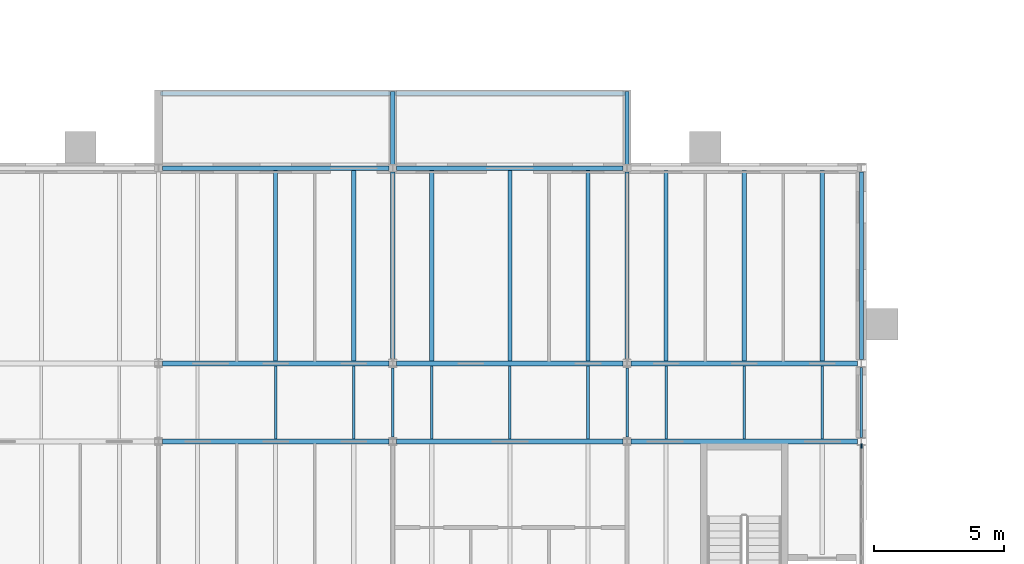
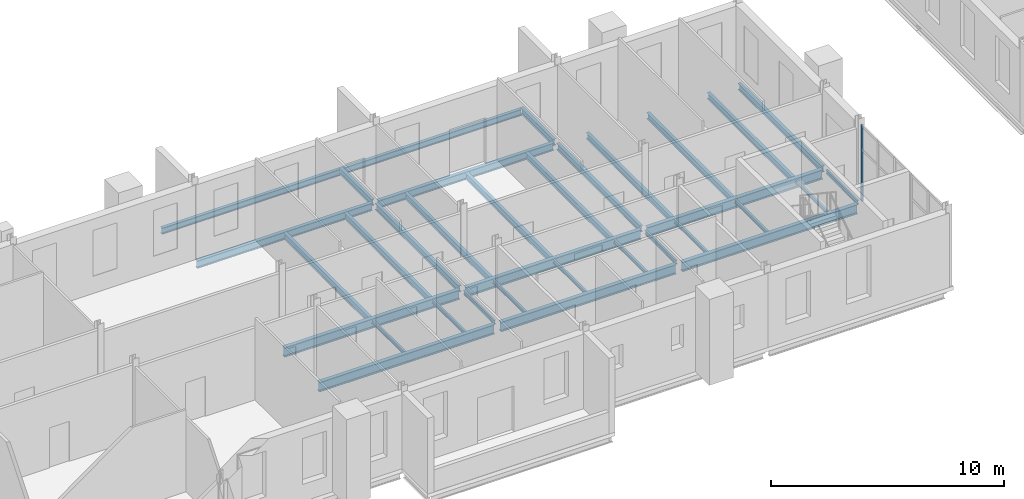
# One storey, part 39 of 134: 34 beams, 1 member, 1 element without a shape of its own.
"""IFC4 building model written with IfcOpenShell, lengths in metres."""

from ifc_helpers import new_model, si_unit, direction, frame, origin, origin_2d, place, context, subcontext, project, spatial, rectangle, i_section, extrude, material, layer, layer_set, material_profile, profile_set, type_object, element, aggregate, save


model = new_model("IFC4")

# Units and contexts
model_context = context("Model", 3, precision=1e-05, world=origin(), true_north=direction((0.0, 1.0)))
body_context = subcontext(model_context, "Body", "Model", "MODEL_VIEW")
ifc_project = project(units=[si_unit("LENGTHUNIT", "METRE"), si_unit("AREAUNIT", "SQUARE_METRE"), si_unit("VOLUMEUNIT", "CUBIC_METRE"), si_unit("PLANEANGLEUNIT", "RADIAN"), si_unit("MASSUNIT", "GRAM", prefix="KILO")], contexts=[model_context])

# Site, building, storey
site_placement = place(None, origin())
site = spatial("IfcSite", under=ifc_project, at=site_placement, CompositionType="ELEMENT")
building_placement = place(site_placement, origin())
building = spatial("IfcBuilding", under=site, at=building_placement, Name="Golden Quay Civic Hall", CompositionType="ELEMENT")
storey_placement = place(building_placement, frame((0.0, 0.0, 5.39990234375)))
storey = spatial("IfcBuildingStorey", under=building, at=storey_placement, Name="L01", CompositionType="ELEMENT", Elevation=5.39990234375)

# Curtain wall, member
ifc_material_1 = material(Name="Glass, laminated double glazed", Category="glass")
ifc_layer = layer(ifc_material_1, 0.199951171875)
ifc_layer_set = layer_set([ifc_layer], Name="Glazed core strip curtain wall")
curtain_wall_type = type_object("IfcCurtainWallType", Name="Glazed core strip curtain wall", PredefinedType="NOTDEFINED", material=ifc_layer_set)
curtain_wall_placement = place(storey_placement, origin())
curtain_wall = element("IfcCurtainWall", 1, at=curtain_wall_placement, inside=storey, type_object=curtain_wall_type, Name="Glazed core strip curtain wall L01 2", PredefinedType="NOTDEFINED")
ifc_material_2 = material(Name="Aluminium, anodised", Category="aluminium")
ifc_material_profile_1 = material_profile(ifc_material_2, rectangle(XDim=0.06005859375, YDim=0.159912109375, at=origin_2d()), Name="Aluminium 60 x 160")
ifc_profile_set_1 = profile_set([ifc_material_profile_1], Name="Aluminium, anodised")
member_type = type_object("IfcMemberType", Name="Aluminium mullion 60 x 160", PredefinedType="MULLION", material=ifc_profile_set_1)
member_placement = place(storey_placement, frame((54.0, 70.324951171875, 0.0), z_axis=(0.0, 0.0, 1.0), x_axis=(1.0, 0.0, 0.0)))
member = element("IfcMember", 2, at=member_placement, type_object=member_type, Name="CW2 mullion 1", PredefinedType="MULLION", context=body_context, shape_type="SweptSolid", body=[
    extrude(rectangle(XDim=0.06005859375, YDim=0.159912109375, at=origin_2d()), origin(), (0.0, 0.0, 1.0), 3.97021484375),
])
aggregate(curtain_wall, [member])

# Beams
ifc_material_3 = material(Name="Steel S355", Category="steel")
ifc_material_profile_2 = material_profile(ifc_material_3, i_section(OverallWidth=0.159912109375, OverallDepth=0.330078125, WebThickness=0.007568359375, FlangeThickness=0.011474609375, FilletRadius=0.01806640625, at=origin_2d()), Name="IPE 330")
ifc_profile_set_2 = profile_set([ifc_material_profile_2], Name="Steel S355")
beam_type_1 = type_object("IfcBeamType", Name="Loggia head beam IPE 330", PredefinedType="BEAM", material=ifc_profile_set_2)
for number, where, z_axis, x_axis, name in (
    (3, (27.080078125, 83.8701171875, -0.364990234375), (1.0, 0.0, 0.0), (0.0, 1.0, 0.0), "Loggia head beam IPE 330 L01 6"),
    (4, (36.080078125, 83.8701171875, -0.364990234375), (1.0, 0.0, 0.0), (0.0, 1.0, 0.0), "Loggia head beam IPE 330 L01 7"),
):
    element("IfcBeam", number, at=place(storey_placement, frame(where, z_axis=z_axis, x_axis=x_axis)), inside=storey, type_object=beam_type_1, Name=name, PredefinedType="BEAM", context=body_context, shape_type="SweptSolid", body=[
        extrude(i_section(OverallWidth=0.159912109375, OverallDepth=0.330078125, WebThickness=0.007568359375, FlangeThickness=0.011474609375, FilletRadius=0.01806640625, at=origin_2d()), origin(), (0.0, 0.0, 1.0), 8.83984375),
    ])
ifc_material_4 = material(Name="Steel S355", Category="steel")
ifc_material_profile_3 = material_profile(ifc_material_4, i_section(OverallWidth=0.159912109375, OverallDepth=0.330078125, WebThickness=0.007568359375, FlangeThickness=0.011474609375, FilletRadius=0.01806640625, at=origin_2d()), Name="IPE 330")
ifc_profile_set_3 = profile_set([ifc_material_profile_3], Name="Steel S355")
beam_type_2 = type_object("IfcBeamType", Name="Loggia stub IPE 330", PredefinedType="BEAM", material=ifc_profile_set_3)
for number, where, z_axis, x_axis, name in (
    (5, (36.0, 81.14501953125, -0.364990234375), (0.0, 1.0, 0.0), (-1.0, 0.0, 0.0), "Loggia stub IPE 330 L01 9"),
    (6, (45.0, 81.14501953125, -0.364990234375), (0.0, 1.0, 0.0), (-1.0, 0.0, 0.0), "Loggia stub IPE 330 L01 10"),
):
    element("IfcBeam", number, at=place(storey_placement, frame(where, z_axis=z_axis, x_axis=x_axis)), inside=storey, type_object=beam_type_2, Name=name, PredefinedType="BEAM", context=body_context, shape_type="SweptSolid", body=[
        extrude(i_section(OverallWidth=0.159912109375, OverallDepth=0.330078125, WebThickness=0.007568359375, FlangeThickness=0.011474609375, FilletRadius=0.01806640625, at=origin_2d()), origin(), (0.0, 0.0, 1.0), 2.804931640625),
    ])
ifc_material_5 = material(Name="Steel S355", Category="steel")
ifc_material_profile_4 = material_profile(ifc_material_5, i_section(OverallWidth=0.10009765625, OverallDepth=0.199951171875, WebThickness=0.005615234375, FlangeThickness=0.008544921875, FilletRadius=0.011962890625, at=origin_2d()), Name="IPE 200")
ifc_profile_set_4 = profile_set([ifc_material_profile_4], Name="Steel S355")
beam_type_3 = type_object("IfcBeamType", Name="Steel beam IPE 200", PredefinedType="BEAM", material=ifc_profile_set_4)
for number, where, z_axis, x_axis, name in (
    (7, (36.0, 70.679931640625, -0.2998046875), (0.0, 1.0, 0.0), (-1.0, 0.0, 0.0), "Beam S36-70.5"),
    (8, (45.0, 70.679931640625, -0.2998046875), (0.0, 1.0, 0.0), (-1.0, 0.0, 0.0), "Beam S45-70.5"),
):
    element("IfcBeam", number, at=place(storey_placement, frame(where, z_axis=z_axis, x_axis=x_axis)), inside=storey, type_object=beam_type_3, Name=name, PredefinedType="BEAM", context=body_context, shape_type="SweptSolid", body=[
        extrude(i_section(OverallWidth=0.10009765625, OverallDepth=0.199951171875, WebThickness=0.005615234375, FlangeThickness=0.008544921875, FilletRadius=0.011962890625, at=origin_2d()), origin(), (0.0, 0.0, 1.0), 2.64013671875),
    ])
beam_1_placement = place(storey_placement, frame((54.0, 70.64990234375, -0.2998046875), z_axis=(0.0, 1.0, 0.0), x_axis=(-1.0, 0.0, 0.0)))
element("IfcBeam", 9, at=beam_1_placement, inside=storey, type_object=beam_type_3, Name="Beam S54-70.5", PredefinedType="BEAM", context=body_context, shape_type="SweptSolid", body=[
    extrude(i_section(OverallWidth=0.10009765625, OverallDepth=0.199951171875, WebThickness=0.005615234375, FlangeThickness=0.008544921875, FilletRadius=0.011962890625, at=origin_2d()), origin(), (0.0, 0.0, 1.0), 2.7001953125),
])
ifc_material_6 = material(Name="Steel S355", Category="steel")
ifc_material_profile_5 = material_profile(ifc_material_6, i_section(OverallWidth=0.159912109375, OverallDepth=0.330078125, WebThickness=0.007568359375, FlangeThickness=0.011474609375, FilletRadius=0.01806640625, at=origin_2d()), Name="IPE 330")
ifc_profile_set_5 = profile_set([ifc_material_profile_5], Name="Steel S355")
beam_type_4 = type_object("IfcBeamType", Name="Steel beam IPE 330", PredefinedType="BEAM", material=ifc_profile_set_5)
for number, where, z_axis, x_axis, name in (
    (10, (36.0, 73.679931640625, -0.364990234375), (0.0, 1.0, 0.0), (-1.0, 0.0, 0.0), "Beam S36-73.5"),
    (11, (45.0, 73.679931640625, -0.364990234375), (0.0, 1.0, 0.0), (-1.0, 0.0, 0.0), "Beam S45-73.5"),
):
    element("IfcBeam", number, at=place(storey_placement, frame(where, z_axis=z_axis, x_axis=x_axis)), inside=storey, type_object=beam_type_4, Name=name, PredefinedType="BEAM", context=body_context, shape_type="SweptSolid", body=[
        extrude(i_section(OverallWidth=0.159912109375, OverallDepth=0.330078125, WebThickness=0.007568359375, FlangeThickness=0.011474609375, FilletRadius=0.01806640625, at=origin_2d()), origin(), (0.0, 0.0, 1.0), 7.170166015625),
    ])
beam_2_placement = place(storey_placement, frame((54.0, 73.64990234375, -0.364990234375), z_axis=(0.0, 1.0, 0.0), x_axis=(-1.0, 0.0, 0.0)))
element("IfcBeam", 12, at=beam_2_placement, inside=storey, type_object=beam_type_4, Name="Beam S54-73.5", PredefinedType="BEAM", context=body_context, shape_type="SweptSolid", body=[
    extrude(i_section(OverallWidth=0.159912109375, OverallDepth=0.330078125, WebThickness=0.007568359375, FlangeThickness=0.011474609375, FilletRadius=0.01806640625, at=origin_2d()), origin(), (0.0, 0.0, 1.0), 7.2001953125),
])
ifc_material_7 = material(Name="Steel S355", Category="steel")
ifc_material_profile_6 = material_profile(ifc_material_7, i_section(OverallWidth=0.179931640625, OverallDepth=0.39990234375, WebThickness=0.008544921875, FlangeThickness=0.013427734375, FilletRadius=0.02099609375, at=origin_2d()), Name="IPE 400")
ifc_profile_set_6 = profile_set([ifc_material_profile_6], Name="Steel S355")
beam_type_5 = type_object("IfcBeamType", Name="Steel beam IPE 400", PredefinedType="BEAM", material=ifc_profile_set_6)
for number, where, z_axis, x_axis, name in (
    (13, (27.14990234375, 81.0, -0.39990234375), (1.0, 0.0, 0.0), (0.0, 1.0, 0.0), "Beam L81-27"),
    (14, (36.14990234375, 81.0, -0.39990234375), (1.0, 0.0, 0.0), (0.0, 1.0, 0.0), "Beam L81-36"),
):
    element("IfcBeam", number, at=place(storey_placement, frame(where, z_axis=z_axis, x_axis=x_axis)), inside=storey, type_object=beam_type_5, Name=name, PredefinedType="BEAM", context=body_context, shape_type="SweptSolid", body=[
        extrude(i_section(OverallWidth=0.179931640625, OverallDepth=0.39990234375, WebThickness=0.008544921875, FlangeThickness=0.013427734375, FilletRadius=0.02099609375, at=origin_2d()), origin(), (0.0, 0.0, 1.0), 8.7001953125),
    ])
ifc_material_8 = material(Name="Steel S355", Category="steel")
ifc_material_profile_7 = material_profile(ifc_material_8, i_section(OverallWidth=0.199951171875, OverallDepth=0.5, WebThickness=0.01025390625, FlangeThickness=0.01611328125, FilletRadius=0.02099609375, at=origin_2d()), Name="IPE 500")
ifc_profile_set_7 = profile_set([ifc_material_profile_7], Name="Steel S355")
beam_type_6 = type_object("IfcBeamType", Name="Steel beam IPE 500", PredefinedType="BEAM", material=ifc_profile_set_7)
for number, where, z_axis, x_axis, name in (
    (15, (27.14990234375, 70.5, -0.449951171875), (1.0, 0.0, 0.0), (0.0, 1.0, 0.0), "Beam L70.5-27"),
    (16, (36.14990234375, 70.5, -0.449951171875), (1.0, 0.0, 0.0), (0.0, 1.0, 0.0), "Beam L70.5-36"),
    (17, (45.14990234375, 70.5, -0.449951171875), (1.0, 0.0, 0.0), (0.0, 1.0, 0.0), "Beam L70.5-45"),
    (18, (27.14990234375, 73.5, -0.449951171875), (1.0, 0.0, 0.0), (0.0, 1.0, 0.0), "Beam L73.5-27"),
    (19, (36.14990234375, 73.5, -0.449951171875), (1.0, 0.0, 0.0), (0.0, 1.0, 0.0), "Beam L73.5-36"),
    (20, (45.14990234375, 73.5, -0.449951171875), (1.0, 0.0, 0.0), (0.0, 1.0, 0.0), "Beam L73.5-45"),
):
    element("IfcBeam", number, at=place(storey_placement, frame(where, z_axis=z_axis, x_axis=x_axis)), inside=storey, type_object=beam_type_6, Name=name, PredefinedType="BEAM", context=body_context, shape_type="SweptSolid", body=[
        extrude(i_section(OverallWidth=0.199951171875, OverallDepth=0.5, WebThickness=0.01025390625, FlangeThickness=0.01611328125, FilletRadius=0.02099609375, at=origin_2d()), origin(), (0.0, 0.0, 1.0), 8.7001953125),
    ])
ifc_material_9 = material(Name="Steel S355", Category="steel")
ifc_material_profile_8 = material_profile(ifc_material_9, i_section(OverallWidth=0.10009765625, OverallDepth=0.199951171875, WebThickness=0.005615234375, FlangeThickness=0.008544921875, FilletRadius=0.011962890625, at=origin_2d()), Name="IPE 200")
ifc_profile_set_8 = profile_set([ifc_material_profile_8], Name="Steel S355")
beam_type_7 = type_object("IfcBeamType", Name="Steel joist IPE 200", PredefinedType="JOIST", material=ifc_profile_set_8)
for number, where, z_axis, x_axis, name in (
    (21, (31.5, 70.60009765625, -0.2998046875), (0.0, 1.0, 0.0), (-1.0, 0.0, 0.0), "Joist J31.5-70.5"),
    (22, (34.5, 70.60009765625, -0.2998046875), (0.0, 1.0, 0.0), (-1.0, 0.0, 0.0), "Joist J34.5-70.5"),
    (23, (37.5, 70.60009765625, -0.2998046875), (0.0, 1.0, 0.0), (-1.0, 0.0, 0.0), "Joist J37.5-70.5"),
    (24, (40.5, 70.60009765625, -0.2998046875), (0.0, 1.0, 0.0), (-1.0, 0.0, 0.0), "Joist J40.5-70.5"),
    (25, (43.5, 70.60009765625, -0.2998046875), (0.0, 1.0, 0.0), (-1.0, 0.0, 0.0), "Joist J43.5-70.5"),
    (26, (46.5, 70.60009765625, -0.2998046875), (0.0, 1.0, 0.0), (-1.0, 0.0, 0.0), "Joist J46.5-70.5"),
    (27, (49.5, 70.60009765625, -0.2998046875), (0.0, 1.0, 0.0), (-1.0, 0.0, 0.0), "Joist J49.5-70.5"),
    (28, (52.5, 70.60009765625, -0.2998046875), (0.0, 1.0, 0.0), (-1.0, 0.0, 0.0), "Joist J52.5-70.5"),
):
    element("IfcBeam", number, at=place(storey_placement, frame(where, z_axis=z_axis, x_axis=x_axis)), inside=storey, type_object=beam_type_7, Name=name, PredefinedType="JOIST", context=body_context, shape_type="SweptSolid", body=[
        extrude(i_section(OverallWidth=0.10009765625, OverallDepth=0.199951171875, WebThickness=0.005615234375, FlangeThickness=0.008544921875, FilletRadius=0.011962890625, at=origin_2d()), origin(), (0.0, 0.0, 1.0), 2.7998046875),
    ])
ifc_material_10 = material(Name="Steel S355", Category="steel")
ifc_material_profile_9 = material_profile(ifc_material_10, i_section(OverallWidth=0.159912109375, OverallDepth=0.330078125, WebThickness=0.007568359375, FlangeThickness=0.011474609375, FilletRadius=0.01806640625, at=origin_2d()), Name="IPE 330")
ifc_profile_set_9 = profile_set([ifc_material_profile_9], Name="Steel S355")
beam_type_8 = type_object("IfcBeamType", Name="Steel joist IPE 330", PredefinedType="JOIST", material=ifc_profile_set_9)
for number, where, z_axis, x_axis, name in (
    (29, (31.5, 73.60009765625, -0.364990234375), (0.0, 1.0, 0.0), (-1.0, 0.0, 0.0), "Joist J31.5-73.5"),
    (30, (34.5, 73.60009765625, -0.364990234375), (0.0, 1.0, 0.0), (-1.0, 0.0, 0.0), "Joist J34.5-73.5"),
    (31, (37.5, 73.60009765625, -0.364990234375), (0.0, 1.0, 0.0), (-1.0, 0.0, 0.0), "Joist J37.5-73.5"),
    (32, (40.5, 73.60009765625, -0.364990234375), (0.0, 1.0, 0.0), (-1.0, 0.0, 0.0), "Joist J40.5-73.5"),
    (33, (43.5, 73.60009765625, -0.364990234375), (0.0, 1.0, 0.0), (-1.0, 0.0, 0.0), "Joist J43.5-73.5"),
    (34, (46.5, 73.60009765625, -0.364990234375), (0.0, 1.0, 0.0), (-1.0, 0.0, 0.0), "Joist J46.5-73.5"),
    (35, (49.5, 73.60009765625, -0.364990234375), (0.0, 1.0, 0.0), (-1.0, 0.0, 0.0), "Joist J49.5-73.5"),
    (36, (52.5, 73.60009765625, -0.364990234375), (0.0, 1.0, 0.0), (-1.0, 0.0, 0.0), "Joist J52.5-73.5"),
):
    element("IfcBeam", number, at=place(storey_placement, frame(where, z_axis=z_axis, x_axis=x_axis)), inside=storey, type_object=beam_type_8, Name=name, PredefinedType="JOIST", context=body_context, shape_type="SweptSolid", body=[
        extrude(i_section(OverallWidth=0.159912109375, OverallDepth=0.330078125, WebThickness=0.007568359375, FlangeThickness=0.011474609375, FilletRadius=0.01806640625, at=origin_2d()), origin(), (0.0, 0.0, 1.0), 7.309814453125),
    ])

save(model, "model.ifc")
